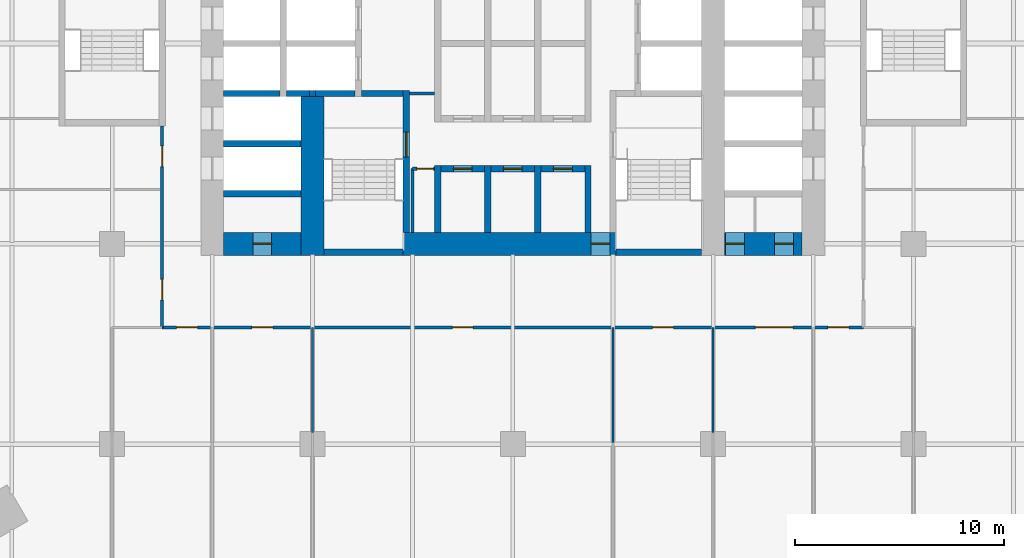
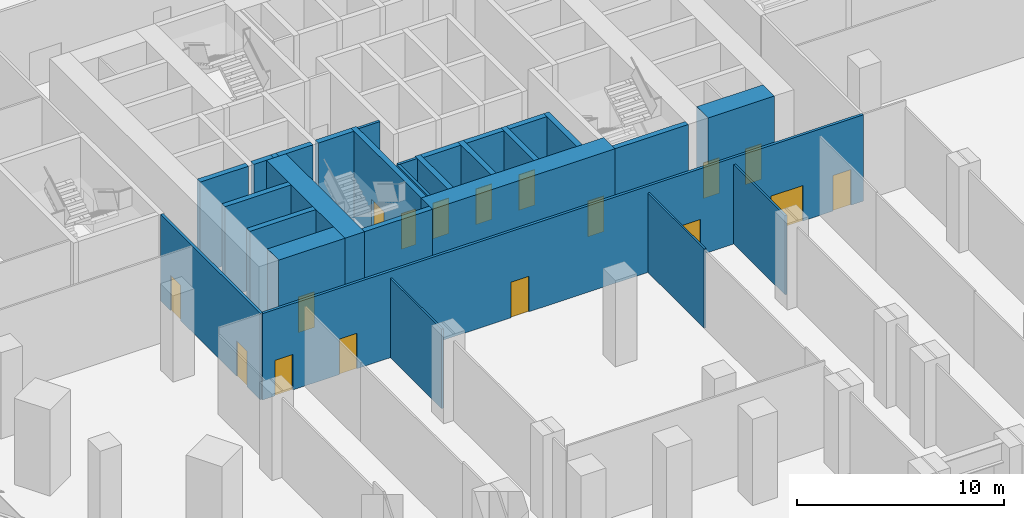
# One storey, part 18 of 34: 29 walls, 17 doors, 17 openings.
"""IFC4 building model written with IfcOpenShell, lengths in metres."""

from ifc_helpers import new_model, si_unit, direction, frame, frame_2d, origin, place, context, subcontext, project, spatial, rectangle, extrude, material, layer, layer_set, type_object, element, fill, save


model = new_model("IFC4")

# Units and contexts
model_context = context("Model", 3, precision=1e-05, world=origin(), true_north=direction((0.0, 1.0)))
body_context = subcontext(model_context, "Body", "Model", "MODEL_VIEW")
ifc_project = project(units=[si_unit("LENGTHUNIT", "METRE"), si_unit("AREAUNIT", "SQUARE_METRE"), si_unit("VOLUMEUNIT", "CUBIC_METRE"), si_unit("PLANEANGLEUNIT", "RADIAN"), si_unit("MASSUNIT", "GRAM", prefix="KILO")], contexts=[model_context])

# Site, building, storey
site_placement = place(None, origin())
site = spatial("IfcSite", under=ifc_project, at=site_placement, CompositionType="ELEMENT")
building_placement = place(site_placement, origin())
building = spatial("IfcBuilding", under=site, at=building_placement, Name="Kolab Exchange Tower", CompositionType="ELEMENT")
storey_placement = place(building_placement, frame((0.0, 0.0, 7.0)))
storey = spatial("IfcBuildingStorey", under=building, at=storey_placement, Name="L01", CompositionType="ELEMENT", Elevation=7.0)

# Wall, opening, door
ifc_material_1 = material(Name="Concrete C80/95", Category="concrete")
ifc_layer_1 = layer(ifc_material_1, 1.10009765625)
ifc_layer_set_1 = layer_set([ifc_layer_1], Name="Concrete C80/95")
wall_type_1 = type_object("IfcWallType", Name="CORE WALL 1100 C80/95", PredefinedType="SHEAR", material=ifc_layer_set_1)
wall_1_placement = place(storey_placement, frame((-13.85009765625, -9.60009765625, -0.300048828125), z_axis=(0.0, 0.0, 1.0), x_axis=(1.0, 0.0, 0.0)))
wall_1 = element("IfcWall", 1, at=wall_1_placement, inside=storey, type_object=wall_type_1, Name="wall/L01/core/002", PredefinedType="SHEAR", context=body_context, shape_type="SweptSolid", body=[
    extrude(rectangle(XDim=3.7001953125, YDim=1.10009765625, at=frame_2d((1.85009765625, 0.0))), origin(), (0.0, 0.0, 1.0), 5.400146484375),
])
opening_1_placement = place(wall_1_placement, frame((1.39990234375, 0.0, 0.300048828125)))
opening_1 = element("IfcOpeningElement", 2, at=opening_1_placement, cuts=wall_1, Name="Opening D6-040", PredefinedType="OPENING", context=body_context, shape_type="SweptSolid", body=[
    extrude(rectangle(XDim=0.89990234375, YDim=2.10009765625, at=frame_2d((0.449951171875, 1.050048828125))), frame((0.0, 0.56005859375, 0.0), z_axis=(0.0, -1.0, 0.0), x_axis=(1.0, 0.0, 0.0)), (0.0, 0.0, 1.0), 1.1201171875),
])
ifc_material_2 = material(Name="Steel S235", Category="steel")
door_type_1 = type_object("IfcDoorType", Name="CORE DOOR 900 EI 120", OperationType="SINGLE_SWING_LEFT", PredefinedType="DOOR", material=ifc_material_2)
door_1_placement = place(opening_1_placement, origin())
door_1 = element("IfcDoor", 3, at=door_1_placement, inside=storey, type_object=door_type_1, Name="Service room door", OperationType="SINGLE_SWING_LEFT", OverallHeight=2.10009765625, OverallWidth=0.89990234375, PredefinedType="DOOR", context=body_context, shape_type="SweptSolid", body=[
    extrude(rectangle(XDim=0.89990234375, YDim=2.10009765625, at=frame_2d((0.449951171875, 1.050048828125))), frame((0.0, 0.02490234375, 0.0), z_axis=(0.0, -1.0, 0.0), x_axis=(1.0, 0.0, 0.0)), (0.0, 0.0, 1.0), 0.050048828125),
])
fill(opening_1, door_1)

wall_2_placement = place(storey_placement, frame((-5.25, -9.60009765625, -0.300048828125), z_axis=(0.0, 0.0, 1.0), x_axis=(1.0, 0.0, 0.0)))
wall_2 = element("IfcWall", 4, at=wall_2_placement, inside=storey, type_object=wall_type_1, Name="wall/L01/core/003", PredefinedType="SHEAR", context=body_context, shape_type="SweptSolid", body=[
    extrude(rectangle(XDim=10.199951171875, YDim=1.10009765625, at=frame_2d((5.10009765625, 0.0))), origin(), (0.0, 0.0, 1.0), 5.400146484375),
])
opening_2_placement = place(wall_2_placement, frame((9.0, 0.0, 0.300048828125)))
opening_2 = element("IfcOpeningElement", 5, at=opening_2_placement, cuts=wall_2, Name="Opening D6-034", PredefinedType="OPENING", context=body_context, shape_type="SweptSolid", body=[
    extrude(rectangle(XDim=0.89990234375, YDim=2.10009765625, at=frame_2d((0.449951171875, 1.050048828125))), frame((0.0, 0.56005859375, 0.0), z_axis=(0.0, -1.0, 0.0), x_axis=(1.0, 0.0, 0.0)), (0.0, 0.0, 1.0), 1.1201171875),
])
door_2_placement = place(opening_2_placement, origin())
door_2 = element("IfcDoor", 6, at=door_2_placement, inside=storey, type_object=door_type_1, Name="Core lobby door", OperationType="SINGLE_SWING_LEFT", OverallHeight=2.10009765625, OverallWidth=0.89990234375, PredefinedType="DOOR", context=body_context, shape_type="SweptSolid", body=[
    extrude(rectangle(XDim=0.89990234375, YDim=2.10009765625, at=frame_2d((0.449951171875, 1.050048828125))), frame((0.0, 0.02490234375, 0.0), z_axis=(0.0, -1.0, 0.0), x_axis=(1.0, 0.0, 0.0)), (0.0, 0.0, 1.0), 0.050048828125),
])
fill(opening_2, door_2)

# Wall, openings, doors
wall_3_placement = place(storey_placement, frame((10.14990234375, -9.60009765625, -0.300048828125), z_axis=(0.0, 0.0, 1.0), x_axis=(1.0, 0.0, 0.0)))
wall_3 = element("IfcWall", 7, at=wall_3_placement, inside=storey, type_object=wall_type_1, Name="wall/L01/core/004", PredefinedType="SHEAR", context=body_context, shape_type="SweptSolid", body=[
    extrude(rectangle(XDim=3.7001953125, YDim=1.10009765625, at=frame_2d((1.85009765625, 0.0))), origin(), (0.0, 0.0, 1.0), 5.400146484375),
])
opening_3_placement = place(wall_3_placement, frame((0.050048828125, 0.0, 0.300048828125)))
opening_3 = element("IfcOpeningElement", 8, at=opening_3_placement, cuts=wall_3, Name="Opening D6-038", PredefinedType="OPENING", context=body_context, shape_type="SweptSolid", body=[
    extrude(rectangle(XDim=0.89990234375, YDim=2.10009765625, at=frame_2d((0.449951171875, 1.050048828125))), frame((0.0, 0.56005859375, 0.0), z_axis=(0.0, -1.0, 0.0), x_axis=(1.0, 0.0, 0.0)), (0.0, 0.0, 1.0), 1.1201171875),
])
opening_4_placement = place(wall_3_placement, frame((2.39990234375, 0.0, 0.300048828125)))
opening_4 = element("IfcOpeningElement", 9, at=opening_4_placement, cuts=wall_3, Name="Opening D6-039", PredefinedType="OPENING", context=body_context, shape_type="SweptSolid", body=[
    extrude(rectangle(XDim=0.89990234375, YDim=2.10009765625, at=frame_2d((0.449951171875, 1.050048828125))), frame((0.0, 0.56005859375, 0.0), z_axis=(0.0, -1.0, 0.0), x_axis=(1.0, 0.0, 0.0)), (0.0, 0.0, 1.0), 1.1201171875),
])
door_3_placement = place(opening_3_placement, origin())
door_3 = element("IfcDoor", 10, at=door_3_placement, inside=storey, type_object=door_type_1, Name="Service room door", OperationType="SINGLE_SWING_RIGHT", OverallHeight=2.10009765625, OverallWidth=0.89990234375, PredefinedType="DOOR", context=body_context, shape_type="SweptSolid", body=[
    extrude(rectangle(XDim=0.89990234375, YDim=2.10009765625, at=frame_2d((0.449951171875, 1.050048828125))), frame((0.0, 0.02490234375, 0.0), z_axis=(0.0, -1.0, 0.0), x_axis=(1.0, 0.0, 0.0)), (0.0, 0.0, 1.0), 0.050048828125),
])
fill(opening_3, door_3)
door_4_placement = place(opening_4_placement, origin())
door_4 = element("IfcDoor", 11, at=door_4_placement, inside=storey, type_object=door_type_1, Name="Service room door", OperationType="SINGLE_SWING_LEFT", OverallHeight=2.10009765625, OverallWidth=0.89990234375, PredefinedType="DOOR", context=body_context, shape_type="SweptSolid", body=[
    extrude(rectangle(XDim=0.89990234375, YDim=2.10009765625, at=frame_2d((0.449951171875, 1.050048828125))), frame((0.0, 0.02490234375, 0.0), z_axis=(0.0, -1.0, 0.0), x_axis=(1.0, 0.0, 0.0)), (0.0, 0.0, 1.0), 0.050048828125),
])
fill(opening_4, door_4)

# Walls
wall_4_placement = place(storey_placement, frame((-9.60009765625, -10.14990234375, -0.300048828125), z_axis=(0.0, 0.0, 1.0), x_axis=(0.0, 1.0, 0.0)))
element("IfcWall", 12, at=wall_4_placement, inside=storey, type_object=wall_type_1, Name="wall/L01/core/059", PredefinedType="SHEAR", context=body_context, shape_type="SweptSolid", body=[
    extrude(rectangle(XDim=7.599853515625, YDim=1.10009765625, at=frame_2d((3.7998046875, 0.0))), origin(), (0.0, 0.0, 1.0), 5.400146484375),
])
ifc_material_3 = material(Name="Concrete C50/60", Category="concrete")
ifc_layer_2 = layer(ifc_material_3, 0.300048828125)
ifc_layer_set_2 = layer_set([ifc_layer_2], Name="Concrete C50/60")
wall_type_2 = type_object("IfcWallType", Name="LIFT SHAFT WALL 300 C50/60", PredefinedType="STANDARD", material=ifc_layer_set_2)
wall_5_placement = place(storey_placement, frame((-13.85009765625, -7.199951171875, -0.300048828125), z_axis=(0.0, 0.0, 1.0), x_axis=(1.0, 0.0, 0.0)))
element("IfcWall", 13, at=wall_5_placement, inside=storey, type_object=wall_type_2, Name="wall/L01/core/005", PredefinedType="STANDARD", context=body_context, shape_type="SweptSolid", body=[
    extrude(rectangle(XDim=3.7001953125, YDim=0.300048828125, at=frame_2d((1.85009765625, 0.0))), origin(), (0.0, 0.0, 1.0), 5.400146484375),
])

# Wall, opening, door
wall_6_placement = place(storey_placement, frame((-3.449951171875, -6.0, -0.300048828125), z_axis=(0.0, 0.0, 1.0), x_axis=(1.0, 0.0, 0.0)))
wall_6 = element("IfcWall", 14, at=wall_6_placement, inside=storey, type_object=wall_type_2, Name="wall/L01/core/007", PredefinedType="STANDARD", context=body_context, shape_type="SweptSolid", body=[
    extrude(rectangle(XDim=2.099853515625, YDim=0.300048828125, at=frame_2d((1.0498046875, 0.0))), origin(), (0.0, 0.0, 1.0), 5.400146484375),
])
opening_5_placement = place(wall_6_placement, frame((0.60009765625, 0.0, 0.300048828125)))
opening_5 = element("IfcOpeningElement", 15, at=opening_5_placement, cuts=wall_6, Name="Opening D6-033", PredefinedType="OPENING", context=body_context, shape_type="SweptSolid", body=[
    extrude(rectangle(XDim=0.89990234375, YDim=2.10009765625, at=frame_2d((0.449951171875, 1.050048828125))), frame((0.0, 0.16015625, 0.0), z_axis=(0.0, -1.0, 0.0), x_axis=(1.0, 0.0, 0.0)), (0.0, 0.0, 1.0), 0.320068359375),
])
door_5_placement = place(opening_5_placement, frame((0.89990234375, 0.0, 0.0), z_axis=(0.0, 0.0, 1.0), x_axis=(-1.0, 0.0, 0.0)))
door_5 = element("IfcDoor", 16, at=door_5_placement, inside=storey, type_object=door_type_1, Name="Service room door", OperationType="SINGLE_SWING_LEFT", OverallHeight=2.10009765625, OverallWidth=0.89990234375, PredefinedType="DOOR", context=body_context, shape_type="SweptSolid", body=[
    extrude(rectangle(XDim=0.89990234375, YDim=2.10009765625, at=frame_2d((0.449951171875, 1.050048828125))), frame((0.0, 0.02490234375, 0.0), z_axis=(0.0, -1.0, 0.0), x_axis=(1.0, 0.0, 0.0)), (0.0, 0.0, 1.0), 0.050048828125),
])
fill(opening_5, door_5)

wall_7_placement = place(storey_placement, frame((-1.050048828125, -6.0, -0.300048828125), z_axis=(0.0, 0.0, 1.0), x_axis=(1.0, 0.0, 0.0)))
wall_7 = element("IfcWall", 17, at=wall_7_placement, inside=storey, type_object=wall_type_2, Name="wall/L01/core/008", PredefinedType="STANDARD", context=body_context, shape_type="SweptSolid", body=[
    extrude(rectangle(XDim=2.10009765625, YDim=0.300048828125, at=frame_2d((1.050048828125, 0.0))), origin(), (0.0, 0.0, 1.0), 5.400146484375),
])
opening_6_placement = place(wall_7_placement, frame((0.60009765625, 0.0, 0.300048828125)))
opening_6 = element("IfcOpeningElement", 18, at=opening_6_placement, cuts=wall_7, Name="Opening D6-032", PredefinedType="OPENING", context=body_context, shape_type="SweptSolid", body=[
    extrude(rectangle(XDim=0.89990234375, YDim=2.10009765625, at=frame_2d((0.449951171875, 1.050048828125))), frame((0.0, 0.16015625, 0.0), z_axis=(0.0, -1.0, 0.0), x_axis=(1.0, 0.0, 0.0)), (0.0, 0.0, 1.0), 0.320068359375),
])
door_6_placement = place(opening_6_placement, frame((0.89990234375, 0.0, 0.0), z_axis=(0.0, 0.0, 1.0), x_axis=(-1.0, 0.0, 0.0)))
door_6 = element("IfcDoor", 19, at=door_6_placement, inside=storey, type_object=door_type_1, Name="Service room door", OperationType="SINGLE_SWING_LEFT", OverallHeight=2.10009765625, OverallWidth=0.89990234375, PredefinedType="DOOR", context=body_context, shape_type="SweptSolid", body=[
    extrude(rectangle(XDim=0.89990234375, YDim=2.10009765625, at=frame_2d((0.449951171875, 1.050048828125))), frame((0.0, 0.02490234375, 0.0), z_axis=(0.0, -1.0, 0.0), x_axis=(1.0, 0.0, 0.0)), (0.0, 0.0, 1.0), 0.050048828125),
])
fill(opening_6, door_6)

wall_8_placement = place(storey_placement, frame((1.35009765625, -6.0, -0.300048828125), z_axis=(0.0, 0.0, 1.0), x_axis=(1.0, 0.0, 0.0)))
wall_8 = element("IfcWall", 20, at=wall_8_placement, inside=storey, type_object=wall_type_2, Name="wall/L01/core/009", PredefinedType="STANDARD", context=body_context, shape_type="SweptSolid", body=[
    extrude(rectangle(XDim=2.099853515625, YDim=0.300048828125, at=frame_2d((1.0498046875, 0.0))), origin(), (0.0, 0.0, 1.0), 5.400146484375),
])
opening_7_placement = place(wall_8_placement, frame((0.60009765625, 0.0, 0.300048828125)))
opening_7 = element("IfcOpeningElement", 21, at=opening_7_placement, cuts=wall_8, Name="Opening D6-031", PredefinedType="OPENING", context=body_context, shape_type="SweptSolid", body=[
    extrude(rectangle(XDim=0.89990234375, YDim=2.10009765625, at=frame_2d((0.449951171875, 1.050048828125))), frame((0.0, 0.16015625, 0.0), z_axis=(0.0, -1.0, 0.0), x_axis=(1.0, 0.0, 0.0)), (0.0, 0.0, 1.0), 0.320068359375),
])
door_7_placement = place(opening_7_placement, frame((0.89990234375, 0.0, 0.0), z_axis=(0.0, 0.0, 1.0), x_axis=(-1.0, 0.0, 0.0)))
door_7 = element("IfcDoor", 22, at=door_7_placement, inside=storey, type_object=door_type_1, Name="Service room door", OperationType="SINGLE_SWING_RIGHT", OverallHeight=2.10009765625, OverallWidth=0.89990234375, PredefinedType="DOOR", context=body_context, shape_type="SweptSolid", body=[
    extrude(rectangle(XDim=0.89990234375, YDim=2.10009765625, at=frame_2d((0.449951171875, 1.050048828125))), frame((0.0, 0.02490234375, 0.0), z_axis=(0.0, -1.0, 0.0), x_axis=(1.0, 0.0, 0.0)), (0.0, 0.0, 1.0), 0.050048828125),
])
fill(opening_7, door_7)

# Walls
wall_9_placement = place(storey_placement, frame((-13.85009765625, -4.800048828125, -0.300048828125), z_axis=(0.0, 0.0, 1.0), x_axis=(1.0, 0.0, 0.0)))
element("IfcWall", 23, at=wall_9_placement, inside=storey, type_object=wall_type_2, Name="wall/L01/core/010", PredefinedType="STANDARD", context=body_context, shape_type="SweptSolid", body=[
    extrude(rectangle(XDim=3.7001953125, YDim=0.300048828125, at=frame_2d((1.85009765625, 0.0))), origin(), (0.0, 0.0, 1.0), 5.400146484375),
])
wall_10_placement = place(storey_placement, frame((-13.85009765625, -2.39990234375, -0.300048828125), z_axis=(0.0, 0.0, 1.0), x_axis=(1.0, 0.0, 0.0)))
element("IfcWall", 24, at=wall_10_placement, inside=storey, type_object=wall_type_2, Name="wall/L01/core/017", PredefinedType="STANDARD", context=body_context, shape_type="SweptSolid", body=[
    extrude(rectangle(XDim=2.7001953125, YDim=0.300048828125, at=frame_2d((1.35009765625, 0.0))), origin(), (0.0, 0.0, 1.0), 5.400146484375),
])
wall_11_placement = place(storey_placement, frame((-10.85009765625, -2.39990234375, -0.300048828125), z_axis=(0.0, 0.0, 1.0), x_axis=(1.0, 0.0, 0.0)))
element("IfcWall", 25, at=wall_11_placement, inside=storey, type_object=wall_type_2, Name="wall/L01/core/018", PredefinedType="STANDARD", context=body_context, shape_type="SweptSolid", body=[
    extrude(rectangle(XDim=1.10009765625, YDim=0.300048828125, at=frame_2d((0.550048828125, 0.0))), origin(), (0.0, 0.0, 1.0), 5.400146484375),
])
for number, where, z_axis, x_axis, name in (
    (26, (-3.60009765625, -9.050048828125, -0.300048828125), (0.0, 0.0, 1.0), (0.0, 1.0, 0.0), "wall/L01/core/066"),
    (27, (-1.199951171875, -9.050048828125, -0.300048828125), (0.0, 0.0, 1.0), (0.0, 1.0, 0.0), "wall/L01/core/069"),
    (28, (1.199951171875, -9.050048828125, -0.300048828125), (0.0, 0.0, 1.0), (0.0, 1.0, 0.0), "wall/L01/core/072"),
    (29, (3.60009765625, -9.050048828125, -0.300048828125), (0.0, 0.0, 1.0), (0.0, 1.0, 0.0), "wall/L01/core/075"),
):
    element("IfcWall", number, at=place(storey_placement, frame(where, z_axis=z_axis, x_axis=x_axis)), inside=storey, type_object=wall_type_2, Name=name, PredefinedType="STANDARD", context=body_context, shape_type="SweptSolid", body=[
        extrude(rectangle(XDim=3.199951171875, YDim=0.300048828125, at=frame_2d((1.60009765625, 0.0))), origin(), (0.0, 0.0, 1.0), 5.400146484375),
    ])
ifc_material_4 = material(Name="Gypsum board", Category="gypsum")
ifc_layer_3 = layer(ifc_material_4, 0.10009765625)
ifc_layer_set_3 = layer_set([ifc_layer_3], Name="Gypsum board")
wall_type_3 = type_object("IfcWallType", Name="PARTITION 100", PredefinedType="PARTITIONING", material=ifc_layer_set_3)
wall_12_placement = place(storey_placement, frame((9.60009765625, -18.639892578125, 0.0), z_axis=(0.0, 0.0, 1.0), x_axis=(0.0, 1.0, 0.0)))
element("IfcWall", 30, at=wall_12_placement, inside=storey, type_object=wall_type_3, Name="Partition 008", PredefinedType="PARTITIONING", context=body_context, shape_type="SweptSolid", body=[
    extrude(rectangle(XDim=5.039794921875, YDim=0.10009765625, at=frame_2d((2.52001953125, 0.0))), origin(), (0.0, 0.0, 1.0), 4.693115234375),
])
wall_13_placement = place(storey_placement, frame((4.800048828125, -19.1259765625, 0.0), z_axis=(0.0, 0.0, 1.0), x_axis=(0.0, 1.0, 0.0)))
element("IfcWall", 31, at=wall_13_placement, inside=storey, type_object=wall_type_3, Name="Partition 010", PredefinedType="PARTITIONING", context=body_context, shape_type="SweptSolid", body=[
    extrude(rectangle(XDim=5.52587890625, YDim=0.10009765625, at=frame_2d((2.762939453125, 0.0))), origin(), (0.0, 0.0, 1.0), 4.693115234375),
])
wall_14_placement = place(storey_placement, frame((-9.60009765625, -18.639892578125, 0.0), z_axis=(0.0, 0.0, 1.0), x_axis=(0.0, 1.0, 0.0)))
element("IfcWall", 32, at=wall_14_placement, inside=storey, type_object=wall_type_3, Name="Partition 016", PredefinedType="PARTITIONING", context=body_context, shape_type="SweptSolid", body=[
    extrude(rectangle(XDim=5.039794921875, YDim=0.10009765625, at=frame_2d((2.52001953125, 0.0))), origin(), (0.0, 0.0, 1.0), 4.693115234375),
])
ifc_layer_4 = layer(ifc_material_4, 0.14990234375)
ifc_layer_set_4 = layer_set([ifc_layer_4], Name="Gypsum board")
wall_type_4 = type_object("IfcWallType", Name="PARTITION 150 FIRE-RATED", PredefinedType="PARTITIONING", material=ifc_layer_set_4)
wall_15_placement = place(storey_placement, frame((-4.800048828125, -9.050048828125, 0.0), z_axis=(0.0, 0.0, 1.0), x_axis=(0.0, 1.0, 0.0)))
element("IfcWall", 33, at=wall_15_placement, inside=storey, type_object=wall_type_4, Name="Partition 014", PredefinedType="PARTITIONING", context=body_context, shape_type="SweptSolid", body=[
    extrude(rectangle(XDim=3.050048828125, YDim=0.14990234375, at=frame_2d((1.52490234375, 0.0))), origin(), (0.0, 0.0, 1.0), 5.10009765625),
])

# Wall, openings, doors
wall_16_placement = place(storey_placement, frame((-16.800048828125, -13.60009765625, 0.0), z_axis=(0.0, 0.0, 1.0), x_axis=(0.0, 1.0, 0.0)))
wall_16 = element("IfcWall", 34, at=wall_16_placement, inside=storey, type_object=wall_type_4, Name="Partition 020", PredefinedType="PARTITIONING", context=body_context, shape_type="SweptSolid", body=[
    extrude(rectangle(XDim=9.650146484375, YDim=0.14990234375, at=frame_2d((4.8251953125, 0.0))), origin(), (0.0, 0.0, 1.0), 5.10009765625),
])
opening_8_placement = place(wall_16_placement, frame((1.300048828125, 0.0, 0.0)))
opening_8 = element("IfcOpeningElement", 35, at=opening_8_placement, cuts=wall_16, Name="Opening D1-025", PredefinedType="OPENING", context=body_context, shape_type="SweptSolid", body=[
    extrude(rectangle(XDim=1.0, YDim=2.10009765625, at=frame_2d((0.5, 1.050048828125))), frame((0.0, 0.0849609375, 0.0), z_axis=(0.0, -1.0, 0.0), x_axis=(1.0, 0.0, 0.0)), (0.0, 0.0, 1.0), 0.169921875),
])
opening_9_placement = place(wall_16_placement, frame((7.699951171875, 0.0, 0.0)))
opening_9 = element("IfcOpeningElement", 36, at=opening_9_placement, cuts=wall_16, Name="Opening D1-026", PredefinedType="OPENING", context=body_context, shape_type="SweptSolid", body=[
    extrude(rectangle(XDim=1.0, YDim=2.10009765625, at=frame_2d((0.5, 1.050048828125))), frame((0.0, 0.0849609375, 0.0), z_axis=(0.0, -1.0, 0.0), x_axis=(1.0, 0.0, 0.0)), (0.0, 0.0, 1.0), 0.169921875),
])
door_type_2 = type_object("IfcDoorType", Name="FLUSH DOOR 1000 FD60", OperationType="SINGLE_SWING_LEFT", PredefinedType="DOOR", material=ifc_material_2)
door_8_placement = place(opening_8_placement, origin())
door_8 = element("IfcDoor", 37, at=door_8_placement, inside=storey, type_object=door_type_2, Name="Door L01-065", OperationType="SINGLE_SWING_LEFT", OverallHeight=2.10009765625, OverallWidth=1.0, PredefinedType="DOOR", context=body_context, shape_type="SweptSolid", body=[
    extrude(rectangle(XDim=1.0, YDim=2.10009765625, at=frame_2d((0.5, 1.050048828125))), frame((0.0, 0.02490234375, 0.0), z_axis=(0.0, -1.0, 0.0), x_axis=(1.0, 0.0, 0.0)), (0.0, 0.0, 1.0), 0.050048828125),
])
fill(opening_8, door_8)
door_9_placement = place(opening_9_placement, origin())
door_9 = element("IfcDoor", 38, at=door_9_placement, inside=storey, type_object=door_type_2, Name="Door L01-066", OperationType="SINGLE_SWING_LEFT", OverallHeight=2.10009765625, OverallWidth=1.0, PredefinedType="DOOR", context=body_context, shape_type="SweptSolid", body=[
    extrude(rectangle(XDim=1.0, YDim=2.10009765625, at=frame_2d((0.5, 1.050048828125))), frame((0.0, 0.02490234375, 0.0), z_axis=(0.0, -1.0, 0.0), x_axis=(1.0, 0.0, 0.0)), (0.0, 0.0, 1.0), 0.050048828125),
])
fill(opening_9, door_9)

wall_17_placement = place(storey_placement, frame((-16.800048828125, -13.60009765625, 0.0), z_axis=(0.0, 0.0, 1.0), x_axis=(1.0, 0.0, 0.0)))
wall_17 = element("IfcWall", 39, at=wall_17_placement, inside=storey, type_object=wall_type_4, Name="Partition 027", PredefinedType="PARTITIONING", context=body_context, shape_type="SweptSolid", body=[
    extrude(rectangle(XDim=33.60009765625, YDim=0.14990234375, at=frame_2d((16.800048828125, 0.0))), origin(), (0.0, 0.0, 1.0), 5.10009765625),
])
opening_10_placement = place(wall_17_placement, frame((0.699951171875, 0.0, 0.0)))
opening_10 = element("IfcOpeningElement", 40, at=opening_10_placement, cuts=wall_17, Name="Opening D1-016", PredefinedType="OPENING", context=body_context, shape_type="SweptSolid", body=[
    extrude(rectangle(XDim=1.0, YDim=2.10009765625, at=frame_2d((0.5, 1.050048828125))), frame((0.0, 0.0849609375, 0.0), z_axis=(0.0, -1.0, 0.0), x_axis=(1.0, 0.0, 0.0)), (0.0, 0.0, 1.0), 0.169921875),
])
opening_11_placement = place(wall_17_placement, frame((4.300048828125, 0.0, 0.0)))
opening_11 = element("IfcOpeningElement", 41, at=opening_11_placement, cuts=wall_17, Name="Opening D1-017", PredefinedType="OPENING", context=body_context, shape_type="SweptSolid", body=[
    extrude(rectangle(XDim=1.0, YDim=2.10009765625, at=frame_2d((0.5, 1.050048828125))), frame((0.0, 0.0849609375, 0.0), z_axis=(0.0, -1.0, 0.0), x_axis=(1.0, 0.0, 0.0)), (0.0, 0.0, 1.0), 0.169921875),
])
opening_12_placement = place(wall_17_placement, frame((13.89990234375, 0.0, 0.0)))
opening_12 = element("IfcOpeningElement", 42, at=opening_12_placement, cuts=wall_17, Name="Opening D1-018", PredefinedType="OPENING", context=body_context, shape_type="SweptSolid", body=[
    extrude(rectangle(XDim=1.0, YDim=2.10009765625, at=frame_2d((0.5, 1.050048828125))), frame((0.0, 0.0849609375, 0.0), z_axis=(0.0, -1.0, 0.0), x_axis=(1.0, 0.0, 0.0)), (0.0, 0.0, 1.0), 0.169921875),
])
opening_13_placement = place(wall_17_placement, frame((23.5, 0.0, 0.0)))
opening_13 = element("IfcOpeningElement", 43, at=opening_13_placement, cuts=wall_17, Name="Opening D1-019", PredefinedType="OPENING", context=body_context, shape_type="SweptSolid", body=[
    extrude(rectangle(XDim=1.0, YDim=2.10009765625, at=frame_2d((0.5, 1.050048828125))), frame((0.0, 0.0849609375, 0.0), z_axis=(0.0, -1.0, 0.0), x_axis=(1.0, 0.0, 0.0)), (0.0, 0.0, 1.0), 0.169921875),
])
opening_14_placement = place(wall_17_placement, frame((28.425048828125, 0.0, 0.0)))
opening_14 = element("IfcOpeningElement", 44, at=opening_14_placement, cuts=wall_17, Name="Opening D2-007", PredefinedType="OPENING", context=body_context, shape_type="SweptSolid", body=[
    extrude(rectangle(XDim=1.800048828125, YDim=2.10009765625, at=frame_2d((0.89990234375, 1.050048828125))), frame((0.0, 0.0849609375, 0.0), z_axis=(0.0, -1.0, 0.0), x_axis=(1.0, 0.0, 0.0)), (0.0, 0.0, 1.0), 0.169921875),
])
opening_15_placement = place(wall_17_placement, frame((31.89990234375, 0.0, 0.0)))
opening_15 = element("IfcOpeningElement", 45, at=opening_15_placement, cuts=wall_17, Name="Opening D1-020", PredefinedType="OPENING", context=body_context, shape_type="SweptSolid", body=[
    extrude(rectangle(XDim=1.0, YDim=2.10009765625, at=frame_2d((0.5, 1.050048828125))), frame((0.0, 0.0849609375, 0.0), z_axis=(0.0, -1.0, 0.0), x_axis=(1.0, 0.0, 0.0)), (0.0, 0.0, 1.0), 0.169921875),
])
door_type_3 = type_object("IfcDoorType", Name="DOUBLE DOOR 1800 FD60", OperationType="DOUBLE_DOOR_SINGLE_SWING", PredefinedType="DOOR", material=ifc_material_2)
door_10_placement = place(opening_14_placement, frame((1.800048828125, 0.0, 0.0), z_axis=(0.0, 0.0, 1.0), x_axis=(-1.0, 0.0, 0.0)))
door_10 = element("IfcDoor", 46, at=door_10_placement, inside=storey, type_object=door_type_3, Name="Door L01-059", OperationType="SINGLE_SWING_RIGHT", OverallHeight=2.10009765625, OverallWidth=1.800048828125, PredefinedType="DOOR", context=body_context, shape_type="SweptSolid", body=[
    extrude(rectangle(XDim=1.800048828125, YDim=2.10009765625, at=frame_2d((0.89990234375, 1.050048828125))), frame((0.0, 0.02490234375, 0.0), z_axis=(0.0, -1.0, 0.0), x_axis=(1.0, 0.0, 0.0)), (0.0, 0.0, 1.0), 0.050048828125),
])
fill(opening_14, door_10)
door_11_placement = place(opening_10_placement, frame((1.0, 0.0, 0.0), z_axis=(0.0, 0.0, 1.0), x_axis=(-1.0, 0.0, 0.0)))
door_11 = element("IfcDoor", 47, at=door_11_placement, inside=storey, type_object=door_type_2, Name="Door L01-055", OperationType="SINGLE_SWING_RIGHT", OverallHeight=2.10009765625, OverallWidth=1.0, PredefinedType="DOOR", context=body_context, shape_type="SweptSolid", body=[
    extrude(rectangle(XDim=1.0, YDim=2.10009765625, at=frame_2d((0.5, 1.050048828125))), frame((0.0, 0.02490234375, 0.0), z_axis=(0.0, -1.0, 0.0), x_axis=(1.0, 0.0, 0.0)), (0.0, 0.0, 1.0), 0.050048828125),
])
fill(opening_10, door_11)
door_12_placement = place(opening_11_placement, frame((1.0, 0.0, 0.0), z_axis=(0.0, 0.0, 1.0), x_axis=(-1.0, 0.0, 0.0)))
door_12 = element("IfcDoor", 48, at=door_12_placement, inside=storey, type_object=door_type_2, Name="Door L01-056", OperationType="SINGLE_SWING_LEFT", OverallHeight=2.10009765625, OverallWidth=1.0, PredefinedType="DOOR", context=body_context, shape_type="SweptSolid", body=[
    extrude(rectangle(XDim=1.0, YDim=2.10009765625, at=frame_2d((0.5, 1.050048828125))), frame((0.0, 0.02490234375, 0.0), z_axis=(0.0, -1.0, 0.0), x_axis=(1.0, 0.0, 0.0)), (0.0, 0.0, 1.0), 0.050048828125),
])
fill(opening_11, door_12)
door_13_placement = place(opening_12_placement, frame((1.0, 0.0, 0.0), z_axis=(0.0, 0.0, 1.0), x_axis=(-1.0, 0.0, 0.0)))
door_13 = element("IfcDoor", 49, at=door_13_placement, inside=storey, type_object=door_type_2, Name="Door L01-057", OperationType="SINGLE_SWING_LEFT", OverallHeight=2.10009765625, OverallWidth=1.0, PredefinedType="DOOR", context=body_context, shape_type="SweptSolid", body=[
    extrude(rectangle(XDim=1.0, YDim=2.10009765625, at=frame_2d((0.5, 1.050048828125))), frame((0.0, 0.02490234375, 0.0), z_axis=(0.0, -1.0, 0.0), x_axis=(1.0, 0.0, 0.0)), (0.0, 0.0, 1.0), 0.050048828125),
])
fill(opening_12, door_13)
door_14_placement = place(opening_13_placement, frame((1.0, 0.0, 0.0), z_axis=(0.0, 0.0, 1.0), x_axis=(-1.0, 0.0, 0.0)))
door_14 = element("IfcDoor", 50, at=door_14_placement, inside=storey, type_object=door_type_2, Name="Door L01-058", OperationType="SINGLE_SWING_LEFT", OverallHeight=2.10009765625, OverallWidth=1.0, PredefinedType="DOOR", context=body_context, shape_type="SweptSolid", body=[
    extrude(rectangle(XDim=1.0, YDim=2.10009765625, at=frame_2d((0.5, 1.050048828125))), frame((0.0, 0.02490234375, 0.0), z_axis=(0.0, -1.0, 0.0), x_axis=(1.0, 0.0, 0.0)), (0.0, 0.0, 1.0), 0.050048828125),
])
fill(opening_13, door_14)
door_15_placement = place(opening_15_placement, frame((1.0, 0.0, 0.0), z_axis=(0.0, 0.0, 1.0), x_axis=(-1.0, 0.0, 0.0)))
door_15 = element("IfcDoor", 51, at=door_15_placement, inside=storey, type_object=door_type_2, Name="Door L01-060", OperationType="SINGLE_SWING_LEFT", OverallHeight=2.10009765625, OverallWidth=1.0, PredefinedType="DOOR", context=body_context, shape_type="SweptSolid", body=[
    extrude(rectangle(XDim=1.0, YDim=2.10009765625, at=frame_2d((0.5, 1.050048828125))), frame((0.0, 0.02490234375, 0.0), z_axis=(0.0, -1.0, 0.0), x_axis=(1.0, 0.0, 0.0)), (0.0, 0.0, 1.0), 0.050048828125),
])
fill(opening_15, door_15)

# Wall, opening, door
wall_18_placement = place(storey_placement, frame((-4.800048828125, -6.0, 0.0), z_axis=(0.0, 0.0, 1.0), x_axis=(1.0, 0.0, 0.0)))
wall_18 = element("IfcWall", 52, at=wall_18_placement, inside=storey, type_object=wall_type_4, Name="Partition 030", PredefinedType="PARTITIONING", context=body_context, shape_type="SweptSolid", body=[
    extrude(rectangle(XDim=1.050048828125, YDim=0.14990234375, at=frame_2d((0.52490234375, 0.0))), origin(), (0.0, 0.0, 1.0), 5.10009765625),
])
opening_16_placement = place(wall_18_placement, frame((0.199951171875, 0.0, 0.0)))
opening_16 = element("IfcOpeningElement", 53, at=opening_16_placement, cuts=wall_18, Name="Opening D7-004", PredefinedType="OPENING", context=body_context, shape_type="SweptSolid", body=[
    extrude(rectangle(XDim=0.800048828125, YDim=2.10009765625, at=frame_2d((0.39990234375, 1.050048828125))), frame((0.0, 0.0849609375, 0.0), z_axis=(0.0, -1.0, 0.0), x_axis=(1.0, 0.0, 0.0)), (0.0, 0.0, 1.0), 0.169921875),
])
door_type_4 = type_object("IfcDoorType", Name="FLUSH DOOR 800 FD60", OperationType="SINGLE_SWING_LEFT", PredefinedType="DOOR", material=ifc_material_2)
door_16_placement = place(opening_16_placement, frame((0.800048828125, 0.0, 0.0), z_axis=(0.0, 0.0, 1.0), x_axis=(-1.0, 0.0, 0.0)))
door_16 = element("IfcDoor", 54, at=door_16_placement, inside=storey, type_object=door_type_4, Name="Door L01-041", OperationType="SINGLE_SWING_RIGHT", OverallHeight=2.10009765625, OverallWidth=0.800048828125, PredefinedType="DOOR", context=body_context, shape_type="SweptSolid", body=[
    extrude(rectangle(XDim=0.800048828125, YDim=2.10009765625, at=frame_2d((0.39990234375, 1.050048828125))), frame((0.0, 0.02490234375, 0.0), z_axis=(0.0, -1.0, 0.0), x_axis=(1.0, 0.0, 0.0)), (0.0, 0.0, 1.0), 0.050048828125),
])
fill(opening_16, door_16)

# Walls
wall_19_placement = place(storey_placement, frame((-4.949951171875, -2.39990234375, 0.0), z_axis=(0.0, 0.0, 1.0), x_axis=(1.0, 0.0, 0.0)))
element("IfcWall", 55, at=wall_19_placement, inside=storey, type_object=wall_type_4, Name="Fire partition", PredefinedType="PARTITIONING", context=body_context, shape_type="SweptSolid", body=[
    extrude(rectangle(XDim=1.199951171875, YDim=0.14990234375, at=frame_2d((0.60009765625, 0.0))), origin(), (0.0, 0.0, 1.0), 5.10009765625),
])
ifc_layer_5 = layer(ifc_material_3, 0.300048828125)
ifc_layer_set_5 = layer_set([ifc_layer_5], Name="Concrete C50/60")
wall_type_5 = type_object("IfcWallType", Name="STAIR ENCLOSURE WALL 300 C50/60", PredefinedType="STANDARD", material=ifc_layer_set_5)
wall_20_placement = place(storey_placement, frame((-9.050048828125, -10.0, -0.300048828125), z_axis=(0.0, 0.0, 1.0), x_axis=(1.0, 0.0, 0.0)))
element("IfcWall", 56, at=wall_20_placement, inside=storey, type_object=wall_type_5, Name="wall/L01/core/000", PredefinedType="STANDARD", context=body_context, shape_type="SweptSolid", body=[
    extrude(rectangle(XDim=3.800048828125, YDim=0.300048828125, at=frame_2d((1.89990234375, 0.0))), origin(), (0.0, 0.0, 1.0), 5.400146484375),
])
wall_21_placement = place(storey_placement, frame((4.949951171875, -10.0, -0.300048828125), z_axis=(0.0, 0.0, 1.0), x_axis=(1.0, 0.0, 0.0)))
element("IfcWall", 57, at=wall_21_placement, inside=storey, type_object=wall_type_5, Name="wall/L01/core/001", PredefinedType="STANDARD", context=body_context, shape_type="SweptSolid", body=[
    extrude(rectangle(XDim=4.10009765625, YDim=0.300048828125, at=frame_2d((2.050048828125, 0.0))), origin(), (0.0, 0.0, 1.0), 5.400146484375),
])
wall_22_placement = place(storey_placement, frame((-9.449951171875, -2.39990234375, -0.300048828125), z_axis=(0.0, 0.0, 1.0), x_axis=(1.0, 0.0, 0.0)))
element("IfcWall", 58, at=wall_22_placement, inside=storey, type_object=wall_type_5, Name="wall/L01/core/019", PredefinedType="STANDARD", context=body_context, shape_type="SweptSolid", body=[
    extrude(rectangle(XDim=1.89990234375, YDim=0.300048828125, at=frame_2d((0.949951171875, 0.0))), origin(), (0.0, 0.0, 1.0), 5.400146484375),
])
wall_23_placement = place(storey_placement, frame((-7.25, -2.39990234375, -0.300048828125), z_axis=(0.0, 0.0, 1.0), x_axis=(1.0, 0.0, 0.0)))
element("IfcWall", 59, at=wall_23_placement, inside=storey, type_object=wall_type_5, Name="wall/L01/core/020", PredefinedType="STANDARD", context=body_context, shape_type="SweptSolid", body=[
    extrude(rectangle(XDim=2.0, YDim=0.300048828125, at=frame_2d((1.0, 0.0))), origin(), (0.0, 0.0, 1.0), 5.400146484375),
])
wall_24_placement = place(storey_placement, frame((-9.60009765625, -2.550048828125, -0.300048828125), z_axis=(0.0, 0.0, 1.0), x_axis=(0.0, 1.0, 0.0)))
element("IfcWall", 60, at=wall_24_placement, inside=storey, type_object=wall_type_5, Name="wall/L01/core/060", PredefinedType="STANDARD", context=body_context, shape_type="SweptSolid", body=[
    extrude(rectangle(XDim=0.300048828125, YDim=0.300048828125, at=frame_2d((0.14990234375, 0.0))), origin(), (0.0, 0.0, 1.0), 5.400146484375),
])

# Wall, opening, door
wall_25_placement = place(storey_placement, frame((-5.10009765625, -9.050048828125, -0.300048828125), z_axis=(0.0, 0.0, 1.0), x_axis=(0.0, 1.0, 0.0)))
wall_25 = element("IfcWall", 61, at=wall_25_placement, inside=storey, type_object=wall_type_5, Name="wall/L01/core/064", PredefinedType="STANDARD", context=body_context, shape_type="SweptSolid", body=[
    extrude(rectangle(XDim=6.800048828125, YDim=0.300048828125, at=frame_2d((3.39990234375, 0.0))), origin(), (0.0, 0.0, 1.0), 5.400146484375),
])
opening_17_placement = place(wall_25_placement, frame((3.60009765625, 0.0, 0.300048828125)))
opening_17 = element("IfcOpeningElement", 62, at=opening_17_placement, cuts=wall_25, Name="Opening D4-010", PredefinedType="OPENING", context=body_context, shape_type="SweptSolid", body=[
    extrude(rectangle(XDim=1.199951171875, YDim=2.10009765625, at=frame_2d((0.60009765625, 1.050048828125))), frame((0.0, 0.16015625, 0.0), z_axis=(0.0, -1.0, 0.0), x_axis=(1.0, 0.0, 0.0)), (0.0, 0.0, 1.0), 0.320068359375),
])
door_type_5 = type_object("IfcDoorType", Name="STAIR DOOR 1200 EI 120", OperationType="SINGLE_SWING_LEFT", PredefinedType="DOOR", material=ifc_material_2)
door_17_placement = place(opening_17_placement, origin())
door_17 = element("IfcDoor", 63, at=door_17_placement, inside=storey, type_object=door_type_5, Name="Stair 3 door", OperationType="SINGLE_SWING_RIGHT", OverallHeight=2.10009765625, OverallWidth=1.199951171875, PredefinedType="DOOR", context=body_context, shape_type="SweptSolid", body=[
    extrude(rectangle(XDim=1.199951171875, YDim=2.10009765625, at=frame_2d((0.60009765625, 1.050048828125))), frame((0.0, 0.02490234375, 0.0), z_axis=(0.0, -1.0, 0.0), x_axis=(1.0, 0.0, 0.0)), (0.0, 0.0, 1.0), 0.050048828125),
])
fill(opening_17, door_17)

save(model, "model.ifc")
